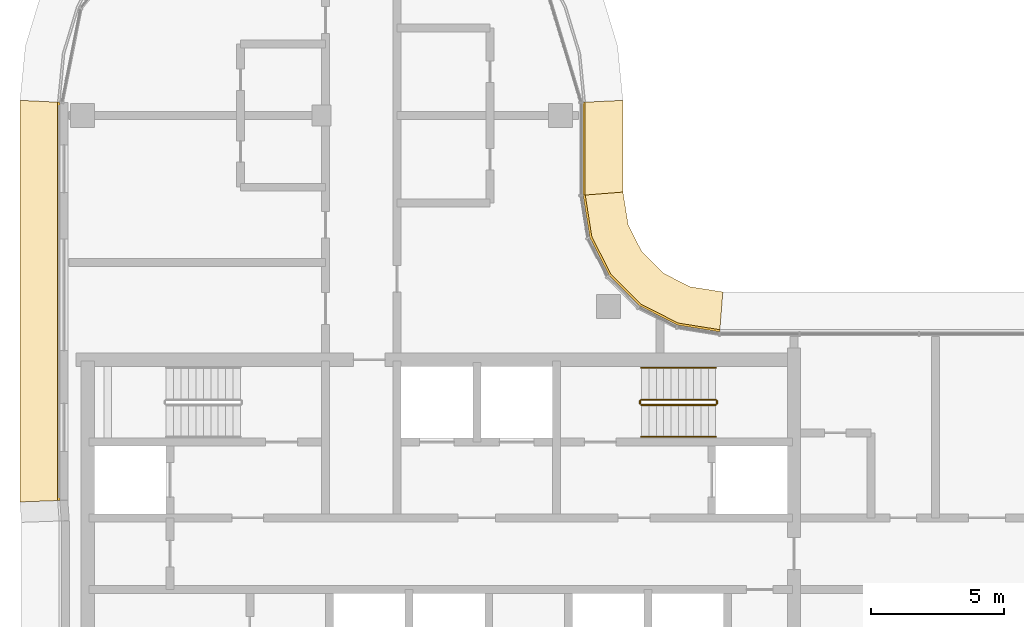
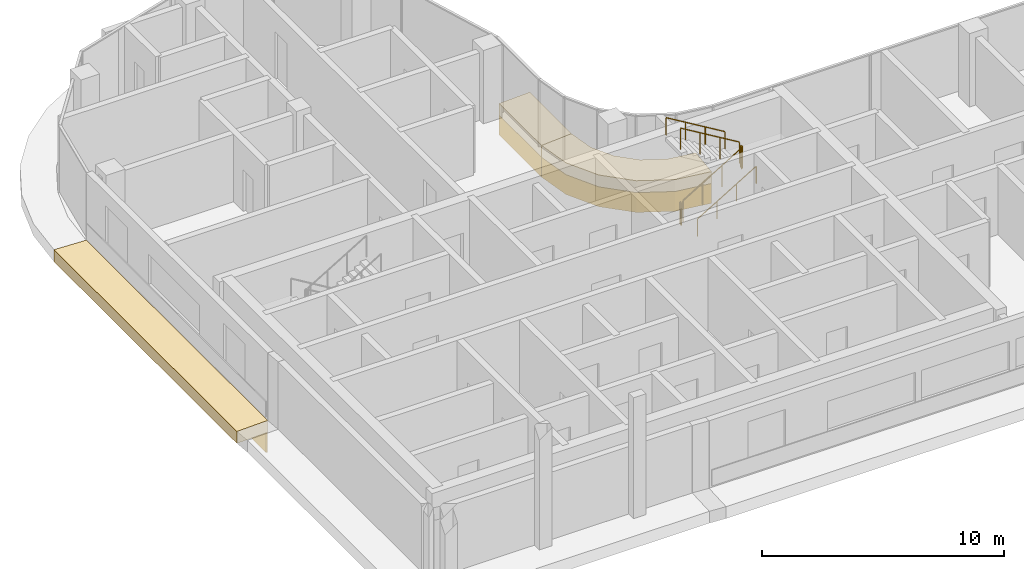
# One storey, part 19 of 22: 6 coverings, 6 railings.
"""IFC4 building model written with IfcOpenShell, lengths in metres."""

from ifc_helpers import new_model, si_unit, direction, frame, origin, origin_2d, place, context, subcontext, project, spatial, polyline, circle, outline, extrude, material, layer, layer_set, type_object, element, save


model = new_model("IFC4")

# Units and contexts
model_context = context("Model", 3, precision=1e-05, world=origin(), true_north=direction((0.0, 1.0)))
body_context = subcontext(model_context, "Body", "Model", "MODEL_VIEW")
ifc_project = project(units=[si_unit("LENGTHUNIT", "METRE"), si_unit("AREAUNIT", "SQUARE_METRE"), si_unit("VOLUMEUNIT", "CUBIC_METRE"), si_unit("PLANEANGLEUNIT", "RADIAN"), si_unit("MASSUNIT", "GRAM", prefix="KILO")], contexts=[model_context])

# Site, building, storey
site_placement = place(None, origin())
site = spatial("IfcSite", under=ifc_project, at=site_placement, CompositionType="ELEMENT")
building_placement = place(site_placement, origin())
building = spatial("IfcBuilding", under=site, at=building_placement, Name="Ogive Portal Towers", CompositionType="ELEMENT")
storey_placement = place(building_placement, frame((0.0, 0.0, 206.89990234375)))
storey = spatial("IfcBuildingStorey", under=building, at=storey_placement, Name="L51", CompositionType="ELEMENT", Elevation=206.89990234375)

# Railings
ifc_material_1 = material(Name="Stainless steel balustrade", Category="steel")
railing_type_1 = type_object("IfcRailingType", Name="INT-GUARD", PredefinedType="GUARDRAIL", material=ifc_material_1)
railing_1_placement = place(storey_placement, frame((52.550048828125, 37.60009765625, 0.168212890625)))
element("IfcRailing", 1, at=railing_1_placement, inside=storey, type_object=railing_type_1, Name="L51 ST-A2 stair guard 1", PredefinedType="GUARDRAIL", context=body_context, shape_type="SweptSolid", body=[
    extrude(circle(Radius=0.02392578125, at=origin_2d()), frame((0.0, 0.0, 1.076171875), z_axis=(0.857242210791, 0.0, 0.514913383045), x_axis=(0.0, 1.0, 0.0)), (0.0, 0.0, 1.0), 3.266357421875),
    extrude(circle(Radius=0.02099609375, at=origin_2d()), origin(), (0.0, 0.0, 1.0), 1.052001953125),
    extrude(circle(Radius=0.02099609375, at=origin_2d()), frame((0.933349609375, 0.0, 0.560546875)), (0.0, 0.0, 1.0), 1.052001953125),
    extrude(circle(Radius=0.02099609375, at=origin_2d()), frame((1.86669921875, 0.0, 1.121337890625)), (0.0, 0.0, 1.0), 1.052001953125),
    extrude(circle(Radius=0.02099609375, at=origin_2d()), frame((2.800048828125, 0.0, 1.681884765625)), (0.0, 0.0, 1.0), 1.052001953125),
])
railing_2_placement = place(storey_placement, frame((55.39990234375, 37.64990234375, 1.85009765625)))
element("IfcRailing", 2, at=railing_2_placement, inside=storey, type_object=railing_type_1, Name="L51 ST-A2 stair guard 2", PredefinedType="GUARDRAIL", context=body_context, shape_type="SweptSolid", body=[
    extrude(circle(Radius=0.02392578125, at=origin_2d()), frame((0.0, 0.0, 1.076171875), z_axis=(0.0, 1.0, 0.0), x_axis=(-1.0, 0.0, 0.0)), (0.0, 0.0, 1.0), 0.10009765625),
    extrude(circle(Radius=0.02099609375, at=origin_2d()), origin(), (0.0, 0.0, 1.0), 1.052001953125),
    extrude(circle(Radius=0.02099609375, at=origin_2d()), frame((0.0, 0.10009765625, 0.0)), (0.0, 0.0, 1.0), 1.052001953125),
])
railing_3_placement = place(storey_placement, frame((55.35009765625, 37.800048828125, 2.018310546875)))
element("IfcRailing", 3, at=railing_3_placement, inside=storey, type_object=railing_type_1, Name="L51 ST-A2 stair guard 3", PredefinedType="GUARDRAIL", context=body_context, shape_type="SweptSolid", body=[
    extrude(circle(Radius=0.02392578125, at=origin_2d()), frame((0.0, 0.0, 1.076171875), z_axis=(-0.857242210791, 0.0, 0.514913383045), x_axis=(0.0, -1.0, 0.0)), (0.0, 0.0, 1.0), 3.266357421875),
    extrude(circle(Radius=0.02099609375, at=origin_2d()), origin(), (0.0, 0.0, 1.0), 1.052001953125),
    extrude(circle(Radius=0.02099609375, at=origin_2d()), frame((-0.933349609375, 0.0, 0.560546875)), (0.0, 0.0, 1.0), 1.052001953125),
    extrude(circle(Radius=0.02099609375, at=origin_2d()), frame((-1.86669921875, 0.0, 1.121337890625)), (0.0, 0.0, 1.0), 1.052001953125),
    extrude(circle(Radius=0.02099609375, at=origin_2d()), frame((-2.800048828125, 0.0, 1.681884765625)), (0.0, 0.0, 1.0), 1.052001953125),
])
railing_4_placement = place(storey_placement, frame((52.5, 37.64990234375, 0.0)))
element("IfcRailing", 4, at=railing_4_placement, inside=storey, type_object=railing_type_1, Name="L51 ST-A2 stair guard 4", PredefinedType="GUARDRAIL", context=body_context, shape_type="SweptSolid", body=[
    extrude(circle(Radius=0.02392578125, at=origin_2d()), frame((0.0, 0.0, 1.076171875), z_axis=(0.0, 1.0, 0.0), x_axis=(-1.0, 0.0, 0.0)), (0.0, 0.0, 1.0), 0.10009765625),
    extrude(circle(Radius=0.02099609375, at=origin_2d()), origin(), (0.0, 0.0, 1.0), 1.052001953125),
    extrude(circle(Radius=0.02099609375, at=origin_2d()), frame((0.0, 0.10009765625, 0.0)), (0.0, 0.0, 1.0), 1.052001953125),
])
ifc_material_2 = material(Name="Stainless steel handrail", Category="steel")
railing_type_2 = type_object("IfcRailingType", Name="INT-HANDRAIL", PredefinedType="HANDRAIL", material=ifc_material_2)
railing_5_placement = place(storey_placement, frame((52.550048828125, 36.39990234375, 0.168212890625)))
element("IfcRailing", 5, at=railing_5_placement, inside=storey, type_object=railing_type_2, Name="L51 ST-A2 stair handrail 1", PredefinedType="HANDRAIL", context=body_context, shape_type="SweptSolid", body=[
    extrude(circle(Radius=0.02392578125, at=origin_2d()), frame((0.0, 0.0, 0.8759765625), z_axis=(0.857242210791, 0.0, 0.514913383045), x_axis=(0.0, 1.0, 0.0)), (0.0, 0.0, 1.0), 3.266357421875),
    extrude(circle(Radius=0.02099609375, at=origin_2d()), origin(), (0.0, 0.0, 1.0), 0.851806640625),
    extrude(circle(Radius=0.02099609375, at=origin_2d()), frame((0.933349609375, 0.0, 0.560546875)), (0.0, 0.0, 1.0), 0.851806640625),
    extrude(circle(Radius=0.02099609375, at=origin_2d()), frame((1.86669921875, 0.0, 1.121337890625)), (0.0, 0.0, 1.0), 0.851806640625),
    extrude(circle(Radius=0.02099609375, at=origin_2d()), frame((2.800048828125, 0.0, 1.681884765625)), (0.0, 0.0, 1.0), 0.851806640625),
])
railing_6_placement = place(storey_placement, frame((55.35009765625, 39.0, 2.018310546875)))
element("IfcRailing", 6, at=railing_6_placement, inside=storey, type_object=railing_type_2, Name="L51 ST-A2 stair handrail 2", PredefinedType="HANDRAIL", context=body_context, shape_type="SweptSolid", body=[
    extrude(circle(Radius=0.02392578125, at=origin_2d()), frame((0.0, 0.0, 0.8759765625), z_axis=(-0.857242210791, 0.0, 0.514913383045), x_axis=(0.0, -1.0, 0.0)), (0.0, 0.0, 1.0), 3.266357421875),
    extrude(circle(Radius=0.02099609375, at=origin_2d()), origin(), (0.0, 0.0, 1.0), 0.851806640625),
    extrude(circle(Radius=0.02099609375, at=origin_2d()), frame((-0.933349609375, 0.0, 0.560546875)), (0.0, 0.0, 1.0), 0.851806640625),
    extrude(circle(Radius=0.02099609375, at=origin_2d()), frame((-1.86669921875, 0.0, 1.121337890625)), (0.0, 0.0, 1.0), 0.851806640625),
    extrude(circle(Radius=0.02099609375, at=origin_2d()), frame((-2.800048828125, 0.0, 1.681884765625)), (0.0, 0.0, 1.0), 0.851806640625),
])

# Coverings
ifc_material_3 = material(Name="Limestone cladding on lightweight block wall", Category="masonry")
ifc_layer_1 = layer(ifc_material_3, 0.080078125)
ifc_layer_set_1 = layer_set([ifc_layer_1], Name="STONE SPANDREL 80")
covering_type_1 = type_object("IfcCoveringType", Name="STONE SPANDREL 80", PredefinedType="CLADDING", material=ifc_layer_set_1)
covering_1_placement = place(storey_placement, frame((0.0, 0.0, -1.599853515625)))
element("IfcCovering", 7, at=covering_1_placement, inside=storey, type_object=covering_type_1, Name="Stone spandrel A1-F10", PredefinedType="CLADDING", context=body_context, shape_type="SweptSolid", body=[
    extrude(outline(polyline([(55.5, 40.35498046875), (53.91015625, 40.60693359375), (52.475830078125, 41.337646484375), (51.337646484375, 42.475830078125), (50.60693359375, 43.91015625), (50.35498046875, 45.5), (50.43505859375, 45.50634765625), (50.683837890625, 43.93505859375), (51.403076171875, 42.5234375), (52.5234375, 41.403076171875), (53.93505859375, 40.683837890625), (55.50634765625, 40.43505859375), (55.5, 40.35498046875)])), origin(), (0.0, 0.0, 1.0), 1.0),
])
covering_2_placement = place(storey_placement, frame((0.0, 0.0, -1.599853515625)))
element("IfcCovering", 8, at=covering_2_placement, inside=storey, type_object=covering_type_1, Name="Stone spandrel A1-F11", PredefinedType="CLADDING", context=body_context, shape_type="SweptSolid", body=[
    extrude(outline(polyline([(50.35498046875, 45.5), (50.35498046875, 49.0), (50.43505859375, 49.00390625), (50.43505859375, 45.50634765625), (50.35498046875, 45.5)])), origin(), (0.0, 0.0, 1.0), 1.0),
])
covering_3_placement = place(storey_placement, frame((0.0, 0.0, -1.599853515625)))
element("IfcCovering", 9, at=covering_3_placement, inside=storey, type_object=covering_type_1, Name="Stone spandrel A1-F13", PredefinedType="CLADDING", context=body_context, shape_type="SweptSolid", body=[
    extrude(outline(polyline([(30.64501953125, 49.0), (30.64501953125, 34.0), (30.56494140625, 33.9970703125), (30.56494140625, 49.00390625), (30.64501953125, 49.0)])), origin(), (0.0, 0.0, 1.0), 1.0),
])
ifc_layer_2 = layer(ifc_material_3, 0.60009765625)
ifc_layer_set_2 = layer_set([ifc_layer_2], Name="SUNSHADE LIP 600")
covering_type_2 = type_object("IfcCoveringType", Name="SUNSHADE LIP 600", PredefinedType="CLADDING", material=ifc_layer_set_2)
covering_4_placement = place(storey_placement, frame((0.0, 0.0, -0.599853515625)))
element("IfcCovering", 10, at=covering_4_placement, inside=storey, type_object=covering_type_2, Name="Sunshade lip A1-F10", PredefinedType="CLADDING", context=body_context, shape_type="SweptSolid", body=[
    extrude(outline(polyline([(55.5, 40.35498046875), (53.91015625, 40.60693359375), (52.475830078125, 41.337646484375), (51.337646484375, 42.475830078125), (50.60693359375, 43.91015625), (50.35498046875, 45.5), (51.85498046875, 45.6181640625), (52.05126953125, 44.37939453125), (52.566162109375, 43.368408203125), (53.368408203125, 42.566162109375), (54.37939453125, 42.05126953125), (55.6181640625, 41.85498046875), (55.5, 40.35498046875)])), origin(), (0.0, 0.0, 1.0), 0.599853515625),
])
covering_5_placement = place(storey_placement, frame((0.0, 0.0, -0.599853515625)))
element("IfcCovering", 11, at=covering_5_placement, inside=storey, type_object=covering_type_2, Name="Sunshade lip A1-F11", PredefinedType="CLADDING", context=body_context, shape_type="SweptSolid", body=[
    extrude(outline(polyline([(50.35498046875, 45.5), (50.35498046875, 49.0), (51.85498046875, 49.07373046875), (51.85498046875, 45.6181640625), (50.35498046875, 45.5)])), origin(), (0.0, 0.0, 1.0), 0.599853515625),
])
covering_6_placement = place(storey_placement, frame((0.0, 0.0, -0.599853515625)))
element("IfcCovering", 12, at=covering_6_placement, inside=storey, type_object=covering_type_2, Name="Sunshade lip A1-F13", PredefinedType="CLADDING", context=body_context, shape_type="SweptSolid", body=[
    extrude(outline(polyline([(30.64501953125, 49.0), (30.64501953125, 34.0), (29.14501953125, 33.946533203125), (29.14501953125, 49.07373046875), (30.64501953125, 49.0)])), origin(), (0.0, 0.0, 1.0), 0.599853515625),
])

save(model, "model.ifc")
